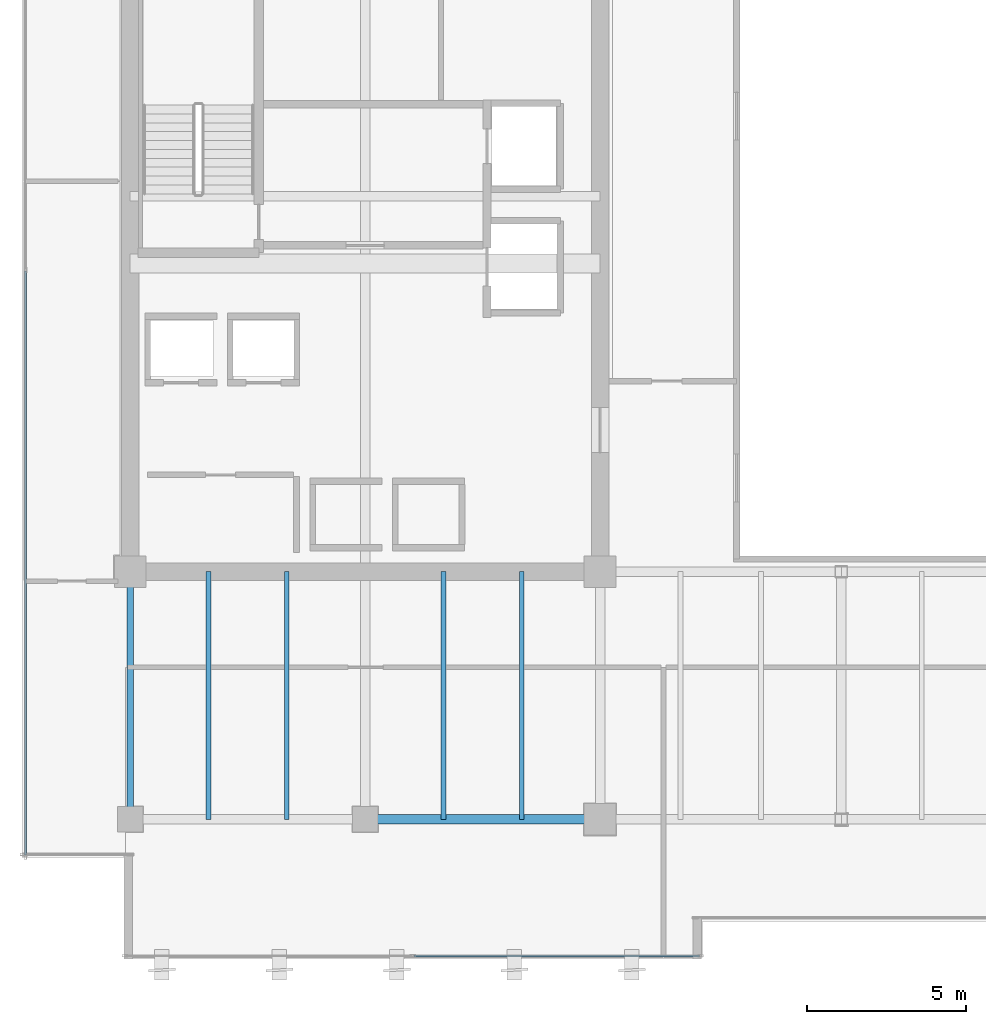
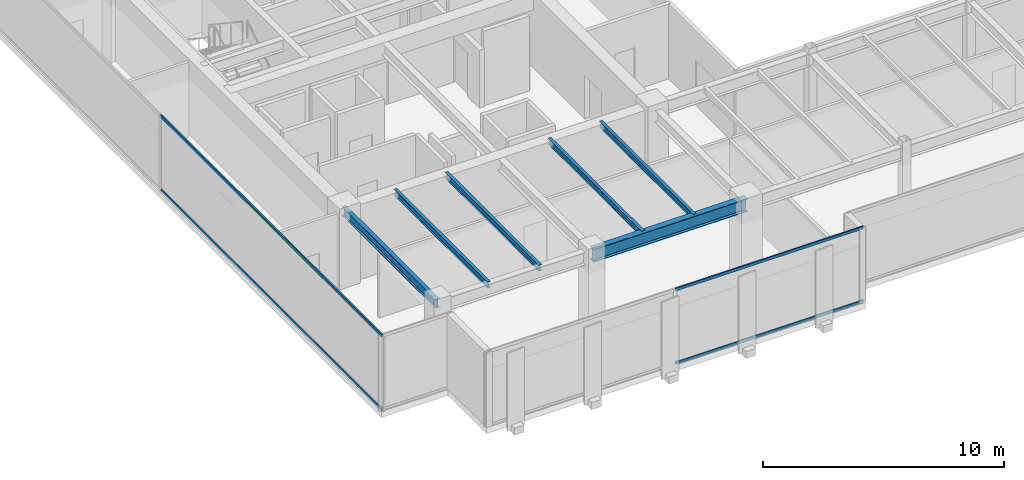
# One storey, part 6 of 35: 6 beams, 4 members, 2 elements without a shape of their own.
"""IFC4 building model written with IfcOpenShell, lengths in metres."""

from ifc_helpers import new_model, si_unit, direction, frame, origin, origin_2d, place, context, subcontext, project, spatial, hollow_rectangle, i_section, extrude, source, transform, mapped, material, layer, layer_set, material_profile, profile_set, type_object, type_shapes, element, aggregate, save


model = new_model("IFC4")

# Units and contexts
model_context = context("Model", 3, precision=1e-05, world=origin(), true_north=direction((0.0, 1.0)))
body_context = subcontext(model_context, "Body", "Model", "MODEL_VIEW")
ifc_project = project(units=[si_unit("LENGTHUNIT", "METRE"), si_unit("AREAUNIT", "SQUARE_METRE"), si_unit("VOLUMEUNIT", "CUBIC_METRE"), si_unit("PLANEANGLEUNIT", "RADIAN"), si_unit("MASSUNIT", "GRAM", prefix="KILO")], contexts=[model_context])

# Site, building, storey
site_placement = place(None, origin())
site = spatial("IfcSite", under=ifc_project, at=site_placement, CompositionType="ELEMENT")
building_placement = place(site_placement, origin())
building = spatial("IfcBuilding", under=site, at=building_placement, Name="Haelvirn Gate Laboratories", CompositionType="ELEMENT")
storey_placement = place(building_placement, frame((0.0, 0.0, 201.39990234375)))
storey = spatial("IfcBuildingStorey", under=building, at=storey_placement, Name="L48", CompositionType="ELEMENT", Elevation=201.39990234375)

# Beams
ifc_material_1 = material(Name="Steel SM355", Category="steel")
ifc_material_profile_1 = material_profile(ifc_material_1, i_section(OverallWidth=0.14990234375, OverallDepth=0.300048828125, WebThickness=0.006591796875, FlangeThickness=0.009033203125, at=origin_2d()), Name="H-300x150x6.5x9")
ifc_profile_set_1 = profile_set([ifc_material_profile_1], Name="Steel SM355")
beam_type_1 = type_object("IfcBeamType", Name="BM-J-300", PredefinedType="JOIST", material=ifc_profile_set_1)
shared_shape_1 = source(origin(), body_context, "Body", "SweptSolid", [
    extrude(i_section(OverallWidth=0.14990234375, OverallDepth=0.300048828125, WebThickness=0.006591796875, FlangeThickness=0.009033203125, at=origin_2d()), origin(), (0.0, 0.0, 1.0), 7.800048828125),
])
type_shapes(beam_type_1, [shared_shape_1])
for number, where, z_axis, x_axis, name in (
    (1, (9.8701171875, 7.0, 3.650146484375), (0.0, 1.0, 0.0), (-1.0, 0.0, 0.0), "L48 Composite Lab Joist South X9.87"),
    (2, (12.330078125, 7.0, 3.650146484375), (0.0, 1.0, 0.0), (-1.0, 0.0, 0.0), "L48 Composite Lab Joist South X12.33"),
    (3, (17.27001953125, 7.0, 3.650146484375), (0.0, 1.0, 0.0), (-1.0, 0.0, 0.0), "L48 Composite Lab Joist South X17.27"),
    (4, (19.72998046875, 7.0, 3.650146484375), (0.0, 1.0, 0.0), (-1.0, 0.0, 0.0), "L48 Composite Lab Joist South X19.73"),
):
    element("IfcBeam", number, at=place(storey_placement, frame(where, z_axis=z_axis, x_axis=x_axis)), inside=storey, type_object=beam_type_1, Name=name, PredefinedType="JOIST", context=body_context, shape_type="MappedRepresentation", body=[
        mapped(shared_shape_1, transform((0.0, 0.0, 0.0), scale=1.0)),
    ])
ifc_material_profile_2 = material_profile(ifc_material_1, i_section(OverallWidth=0.300048828125, OverallDepth=0.64990234375, WebThickness=0.012939453125, FlangeThickness=0.02197265625, at=origin_2d()), Name="H-650x300x13x22")
ifc_profile_set_2 = profile_set([ifc_material_profile_2], Name="Steel SM355")
beam_type_2 = type_object("IfcBeamType", Name="BM-G-650", PredefinedType="BEAM", material=ifc_profile_set_2)
shared_shape_2 = source(origin(), body_context, "Body", "SweptSolid", [
    extrude(i_section(OverallWidth=0.300048828125, OverallDepth=0.64990234375, WebThickness=0.012939453125, FlangeThickness=0.02197265625, at=origin_2d()), origin(), (0.0, 0.0, 1.0), 7.39990234375),
])
type_shapes(beam_type_2, [shared_shape_2])
beam_1_placement = place(storey_placement, frame((14.800048828125, 7.0, 3.47509765625), z_axis=(1.0, 0.0, 0.0), x_axis=(0.0, 1.0, 0.0)))
element("IfcBeam", 5, at=beam_1_placement, inside=storey, type_object=beam_type_2, Name="L48 Primary Girder Y7.0 (14.8-22.2)", PredefinedType="BEAM", context=body_context, shape_type="MappedRepresentation", body=[
    mapped(shared_shape_2, transform((0.0, 0.0, 0.0), scale=1.0)),
])
ifc_material_profile_3 = material_profile(ifc_material_1, i_section(OverallWidth=0.199951171875, OverallDepth=0.449951171875, WebThickness=0.009033203125, FlangeThickness=0.013916015625, at=origin_2d()), Name="H-450x200x9x14")
ifc_profile_set_3 = profile_set([ifc_material_profile_3], Name="Steel SM355")
beam_type_3 = type_object("IfcBeamType", Name="BM-SP-450", PredefinedType="SPANDREL", material=ifc_profile_set_3)
shared_shape_3 = source(origin(), body_context, "Body", "SweptSolid", [
    extrude(i_section(OverallWidth=0.199951171875, OverallDepth=0.449951171875, WebThickness=0.009033203125, FlangeThickness=0.013916015625, at=origin_2d()), origin(), (0.0, 0.0, 1.0), 7.800048828125),
])
type_shapes(beam_type_3, [shared_shape_3])
beam_2_placement = place(storey_placement, frame((7.39990234375, 7.0, 3.5751953125), z_axis=(0.0, 1.0, 0.0), x_axis=(-1.0, 0.0, 0.0)))
element("IfcBeam", 6, at=beam_2_placement, inside=storey, type_object=beam_type_3, Name="L48 Perimeter Spandrel X7.4 (7.0-14.8)", PredefinedType="SPANDREL", context=body_context, shape_type="MappedRepresentation", body=[
    mapped(shared_shape_3, transform((0.0, 0.0, 0.0), scale=1.0)),
])

# Curtain wall, members
ifc_material_2 = material(Name="Anodised bronze unitised aluminium & triple low-E glass", Category="aluminium")
ifc_layer = layer(ifc_material_2, 0.176025390625, Name="CW-SYS-4")
ifc_layer_set = layer_set([ifc_layer], Name="Anodised bronze unitised aluminium & triple low-E glass")
curtain_wall_type = type_object("IfcCurtainWallType", Name="CW-SYS-4", PredefinedType="NOTDEFINED", material=ifc_layer_set)
curtain_wall_1_placement = place(storey_placement, origin())
curtain_wall_1 = element("IfcCurtainWall", 7, at=curtain_wall_1_placement, inside=storey, type_object=curtain_wall_type, Name="L48 Unitised Curtain Wall CW-L48-P0-E00-1", PredefinedType="NOTDEFINED")
ifc_material_3 = material(Name="Extruded aluminium 6063-T6 (anodised bronze)", Category="aluminium")
ifc_material_profile_4 = material_profile(ifc_material_3, hollow_rectangle(XDim=0.06494140625, YDim=0.139892578125, WallThickness=0.00390625, at=origin_2d()), Name="CWT-140x65x4")
ifc_profile_set_4 = profile_set([ifc_material_profile_4], Name="Extruded aluminium 6063-T6 (anodised bronze)")
member_type = type_object("IfcMemberType", Name="CWT-T140", PredefinedType="USERDEFINED", material=ifc_profile_set_4)
shared_shape_4 = source(origin(), body_context, "Body", "SweptSolid", [
    extrude(hollow_rectangle(XDim=0.06494140625, YDim=0.139892578125, WallThickness=0.00390625, at=origin_2d()), origin(), (0.0, 0.0, 1.0), 8.9951171875),
])
member_1_placement = place(storey_placement, frame((16.3349609375, 2.699951171875, 0.03271484375), z_axis=(1.0, 0.0, 0.0), x_axis=(0.0, 1.0, 0.0)))
member_1 = element("IfcMember", 8, at=member_1_placement, type_object=member_type, Name="CW4 transom 2.1", ObjectType="TRANSOM", PredefinedType="USERDEFINED", context=body_context, shape_type="MappedRepresentation", body=[
    mapped(shared_shape_4, transform((0.0, 0.0, 0.0), scale=1.0)),
])
member_2_placement = place(storey_placement, frame((16.3349609375, 2.699951171875, 3.767578125), z_axis=(1.0, 0.0, 0.0), x_axis=(0.0, 1.0, 0.0)))
member_2 = element("IfcMember", 9, at=member_2_placement, type_object=member_type, Name="CW4 transom 2.2", ObjectType="TRANSOM", PredefinedType="USERDEFINED", context=body_context, shape_type="MappedRepresentation", body=[
    mapped(shared_shape_4, transform((0.0, 0.0, 0.0), scale=1.0)),
])
aggregate(curtain_wall_1, [member_1, member_2])

curtain_wall_2_placement = place(storey_placement, origin())
curtain_wall_2 = element("IfcCurtainWall", 10, at=curtain_wall_2_placement, inside=storey, type_object=curtain_wall_type, Name="L48 Unitised Curtain Wall CW-L48-P0-E17", PredefinedType="NOTDEFINED")
shared_shape_5 = source(origin(), body_context, "Body", "SweptSolid", [
    extrude(hollow_rectangle(XDim=0.06494140625, YDim=0.139892578125, WallThickness=0.00390625, at=origin_2d()), origin(), (0.0, 0.0, 1.0), 18.394775390625),
])
type_shapes(member_type, [shared_shape_4, shared_shape_5])
member_3_placement = place(storey_placement, frame((4.10009765625, 24.264892578125, 0.03271484375), z_axis=(0.0, -1.0, 0.0), x_axis=(1.0, 0.0, 0.0)))
member_3 = element("IfcMember", 11, at=member_3_placement, type_object=member_type, Name="CW4 transom 2.1", ObjectType="TRANSOM", PredefinedType="USERDEFINED", context=body_context, shape_type="MappedRepresentation", body=[
    mapped(shared_shape_5, transform((0.0, 0.0, 0.0), scale=1.0)),
])
member_4_placement = place(storey_placement, frame((4.10009765625, 24.264892578125, 3.767578125), z_axis=(0.0, -1.0, 0.0), x_axis=(1.0, 0.0, 0.0)))
member_4 = element("IfcMember", 12, at=member_4_placement, type_object=member_type, Name="CW4 transom 2.2", ObjectType="TRANSOM", PredefinedType="USERDEFINED", context=body_context, shape_type="MappedRepresentation", body=[
    mapped(shared_shape_5, transform((0.0, 0.0, 0.0), scale=1.0)),
])
aggregate(curtain_wall_2, [member_3, member_4])

save(model, "model.ifc")
